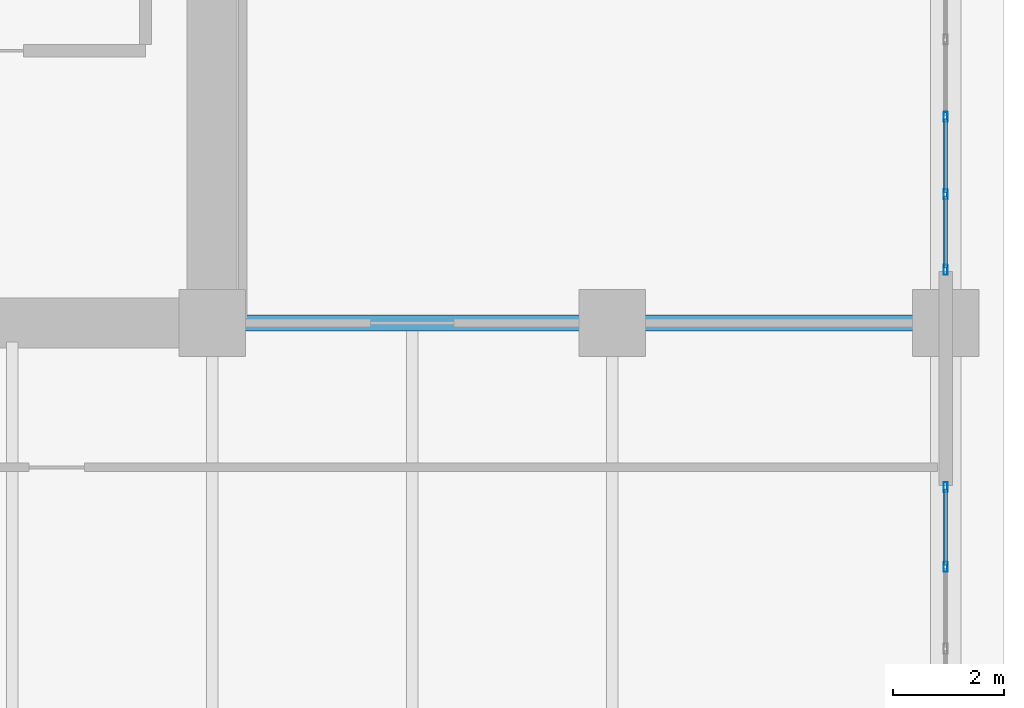
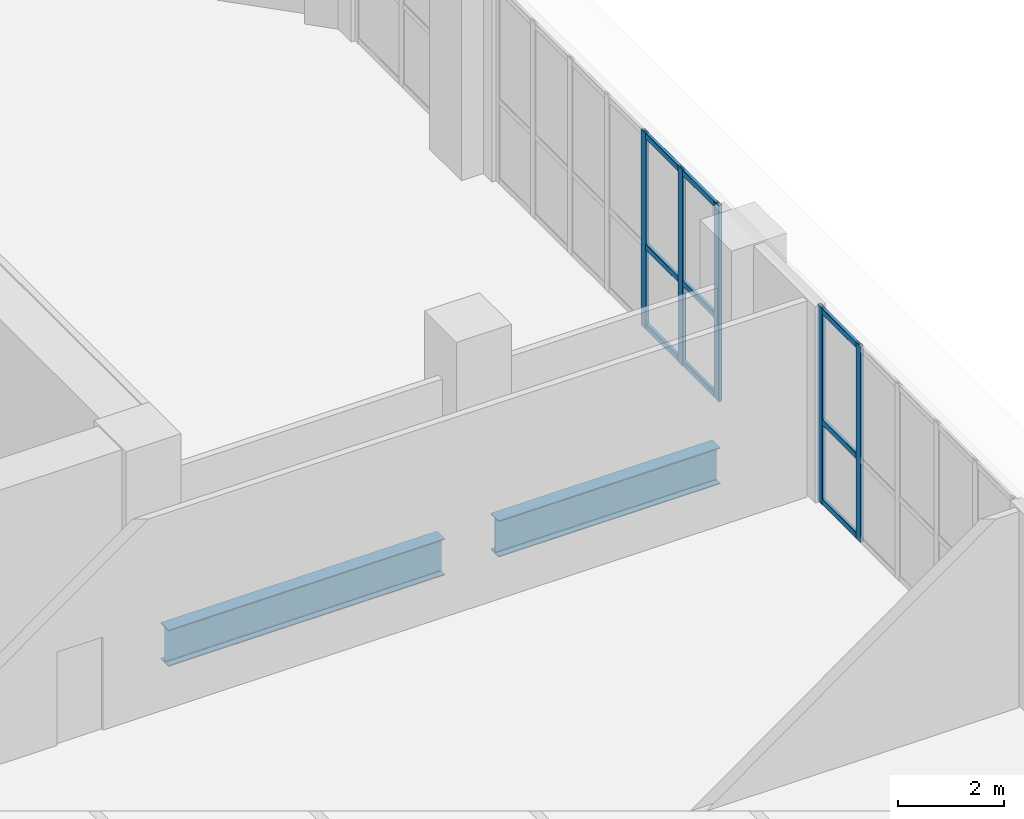
# One storey, part 23 of 37: 14 members, 2 beams, 2 elements without a shape of their own.
"""IFC4 building model written with IfcOpenShell, lengths in metres."""

from ifc_helpers import new_model, si_unit, direction, frame, origin, origin_2d, place, context, subcontext, project, spatial, hollow_rectangle, i_section, extrude, material, layer, layer_set, material_profile, profile_set, type_object, element, aggregate, save


model = new_model("IFC4")

# Units and contexts
model_context = context("Model", 3, precision=1e-05, world=origin(), true_north=direction((0.0, 1.0)))
body_context = subcontext(model_context, "Body", "Model", "MODEL_VIEW")
ifc_project = project(units=[si_unit("LENGTHUNIT", "METRE"), si_unit("AREAUNIT", "SQUARE_METRE"), si_unit("VOLUMEUNIT", "CUBIC_METRE"), si_unit("PLANEANGLEUNIT", "RADIAN"), si_unit("MASSUNIT", "GRAM", prefix="KILO")], contexts=[model_context])

# Site, building, storey
site_placement = place(None, origin())
site = spatial("IfcSite", under=ifc_project, at=site_placement, CompositionType="ELEMENT")
building_placement = place(site_placement, origin())
building = spatial("IfcBuilding", under=site, at=building_placement, Name="Kaelvorn Grand Hotel", CompositionType="ELEMENT")
storey_placement = place(building_placement, frame((0.0, 0.0, 224.35009765625)))
storey = spatial("IfcBuildingStorey", under=building, at=storey_placement, Name="L55", CompositionType="ELEMENT", Elevation=224.35009765625)

# Beams
ifc_material_1 = material(Name="Steel S355", Category="steel")
ifc_material_profile_1 = material_profile(ifc_material_1, i_section(OverallWidth=0.29248046875, OverallDepth=0.8408203125, WebThickness=0.0146484375, FlangeThickness=0.021728515625, FilletRadius=0.017822265625, at=origin_2d()), Name="UB 838x292x194")
ifc_profile_set_1 = profile_set([ifc_material_profile_1], Name="Steel S355")
beam_type = type_object("IfcBeamType", Name="BM-G-UB838-S355", PredefinedType="BEAM", material=ifc_profile_set_1)
beam_1_placement = place(storey_placement, frame((68.385009765625, 29.39990234375, -0.660400390625), z_axis=(1.0, 0.0, 0.0), x_axis=(0.0, 1.0, 0.0)))
element("IfcBeam", 1, at=beam_1_placement, inside=storey, type_object=beam_type, Name="L55 East Core Wing Steel Girder G-29E 01", PredefinedType="BEAM", context=body_context, shape_type="SweptSolid", body=[
    extrude(i_section(OverallWidth=0.29248046875, OverallDepth=0.8408203125, WebThickness=0.0146484375, FlangeThickness=0.021728515625, FilletRadius=0.017822265625, at=origin_2d()), origin(), (0.0, 0.0, 1.0), 6.030029296875),
])
beam_2_placement = place(storey_placement, frame((75.5849609375, 29.39990234375, -0.660400390625), z_axis=(1.0, 0.0, 0.0), x_axis=(0.0, 1.0, 0.0)))
element("IfcBeam", 2, at=beam_2_placement, inside=storey, type_object=beam_type, Name="L55 East Core Wing Steel Girder G-29E 02", PredefinedType="BEAM", context=body_context, shape_type="SweptSolid", body=[
    extrude(i_section(OverallWidth=0.29248046875, OverallDepth=0.8408203125, WebThickness=0.0146484375, FlangeThickness=0.021728515625, FilletRadius=0.017822265625, at=origin_2d()), origin(), (0.0, 0.0, 1.0), 4.830078125),
])

# Curtain wall, members
ifc_material_2 = material(Name="Anodised Aluminium", Category="aluminium")
ifc_layer = layer(ifc_material_2, 0.179931640625)
ifc_layer_set = layer_set([ifc_layer], Name="Anodised Aluminium")
curtain_wall_type = type_object("IfcCurtainWallType", Name="CW-SYS4", PredefinedType="NOTDEFINED", material=ifc_layer_set)
curtain_wall_1_placement = place(storey_placement, origin())
curtain_wall_1 = element("IfcCurtainWall", 3, at=curtain_wall_1_placement, inside=storey, type_object=curtain_wall_type, Name="L55 Unitised Curtain Wall CW4 (CW-L55-E-03)", PredefinedType="NOTDEFINED")
ifc_material_profile_2 = material_profile(ifc_material_2, hollow_rectangle(XDim=0.070068359375, YDim=0.179931640625, WallThickness=0.00390625, InnerFilletRadius=0.00390625, OuterFilletRadius=0.008056640625, at=origin_2d()), Name="ALU MULL 70x180")
ifc_profile_set_2 = profile_set([ifc_material_profile_2], Name="Anodised Aluminium")
member_type_1 = type_object("IfcMemberType", Name="CW-SYS4-MULL", PredefinedType="MULLION", material=ifc_profile_set_2)
member_1_placement = place(storey_placement, frame((81.0, 25.008056640625, 0.0), z_axis=(0.0, 0.0, 1.0), x_axis=(-1.0, 0.0, 0.0)))
member_1 = element("IfcMember", 4, at=member_1_placement, type_object=member_type_1, Name="CW4 mullion 5", PredefinedType="MULLION", context=body_context, shape_type="SweptSolid", body=[
    extrude(hollow_rectangle(XDim=0.070068359375, YDim=0.179931640625, WallThickness=0.00390625, InnerFilletRadius=0.00390625, OuterFilletRadius=0.008056640625, at=origin_2d()), origin(), (0.0, 0.0, 1.0), 4.52001953125),
])
member_2_placement = place(storey_placement, frame((81.0, 26.445068359375, 0.0), z_axis=(0.0, 0.0, 1.0), x_axis=(-1.0, 0.0, 0.0)))
member_2 = element("IfcMember", 5, at=member_2_placement, type_object=member_type_1, Name="CW4 mullion 6", PredefinedType="MULLION", context=body_context, shape_type="SweptSolid", body=[
    extrude(hollow_rectangle(XDim=0.070068359375, YDim=0.179931640625, WallThickness=0.00390625, InnerFilletRadius=0.00390625, OuterFilletRadius=0.008056640625, at=origin_2d()), origin(), (0.0, 0.0, 1.0), 4.52001953125),
])

curtain_wall_2_placement = place(storey_placement, origin())
curtain_wall_2 = element("IfcCurtainWall", 6, at=curtain_wall_2_placement, inside=storey, type_object=curtain_wall_type, Name="L55 Unitised Curtain Wall CW4 (CW-L55-E-04)", PredefinedType="NOTDEFINED")
member_3_placement = place(storey_placement, frame((81.0, 30.35498046875, 0.0), z_axis=(0.0, 0.0, 1.0), x_axis=(-1.0, 0.0, 0.0)))
member_3 = element("IfcMember", 7, at=member_3_placement, type_object=member_type_1, Name="CW4 mullion 1", PredefinedType="MULLION", context=body_context, shape_type="SweptSolid", body=[
    extrude(hollow_rectangle(XDim=0.070068359375, YDim=0.179931640625, WallThickness=0.00390625, InnerFilletRadius=0.00390625, OuterFilletRadius=0.008056640625, at=origin_2d()), origin(), (0.0, 0.0, 1.0), 4.52001953125),
])
member_4_placement = place(storey_placement, frame((81.0, 31.71337890625, 0.0), z_axis=(0.0, 0.0, 1.0), x_axis=(-1.0, 0.0, 0.0)))
member_4 = element("IfcMember", 8, at=member_4_placement, type_object=member_type_1, Name="CW4 mullion 2", PredefinedType="MULLION", context=body_context, shape_type="SweptSolid", body=[
    extrude(hollow_rectangle(XDim=0.070068359375, YDim=0.179931640625, WallThickness=0.00390625, InnerFilletRadius=0.00390625, OuterFilletRadius=0.008056640625, at=origin_2d()), origin(), (0.0, 0.0, 1.0), 4.52001953125),
])
member_5_placement = place(storey_placement, frame((81.0, 33.106689453125, 0.0), z_axis=(0.0, 0.0, 1.0), x_axis=(-1.0, 0.0, 0.0)))
member_5 = element("IfcMember", 9, at=member_5_placement, type_object=member_type_1, Name="CW4 mullion 3", PredefinedType="MULLION", context=body_context, shape_type="SweptSolid", body=[
    extrude(hollow_rectangle(XDim=0.070068359375, YDim=0.179931640625, WallThickness=0.00390625, InnerFilletRadius=0.00390625, OuterFilletRadius=0.008056640625, at=origin_2d()), origin(), (0.0, 0.0, 1.0), 4.52001953125),
])

# Member
ifc_material_profile_3 = material_profile(ifc_material_2, hollow_rectangle(XDim=0.070068359375, YDim=0.135009765625, WallThickness=0.00341796875, InnerFilletRadius=0.00341796875, OuterFilletRadius=0.007080078125, at=origin_2d()), Name="ALU TRAN 70x135")
ifc_profile_set_3 = profile_set([ifc_material_profile_3], Name="Anodised Aluminium")
member_type_2 = type_object("IfcMemberType", Name="CW-SYS4-TRAN", PredefinedType="NOTDEFINED", material=ifc_profile_set_3)
member_6_placement = place(storey_placement, frame((81.0, 25.04296875, 0.0673828125), z_axis=(0.0, 1.0, 0.0), x_axis=(-1.0, 0.0, 0.0)))
member_6 = element("IfcMember", 10, at=member_6_placement, type_object=member_type_2, Name="CW4 transom 5.1", ObjectType="TRANSOM", PredefinedType="USERDEFINED", context=body_context, shape_type="SweptSolid", body=[
    extrude(hollow_rectangle(XDim=0.070068359375, YDim=0.135009765625, WallThickness=0.00341796875, InnerFilletRadius=0.00341796875, OuterFilletRadius=0.007080078125, at=origin_2d()), origin(), (0.0, 0.0, 1.0), 1.366943359375),
])

member_7_placement = place(storey_placement, frame((81.0, 25.04296875, 1.898193359375), z_axis=(0.0, 1.0, 0.0), x_axis=(-1.0, 0.0, 0.0)))
member_7 = element("IfcMember", 11, at=member_7_placement, type_object=member_type_2, Name="CW4 transom 5.2", ObjectType="TRANSOM", PredefinedType="USERDEFINED", context=body_context, shape_type="SweptSolid", body=[
    extrude(hollow_rectangle(XDim=0.070068359375, YDim=0.135009765625, WallThickness=0.00341796875, InnerFilletRadius=0.00341796875, OuterFilletRadius=0.007080078125, at=origin_2d()), origin(), (0.0, 0.0, 1.0), 1.366943359375),
])

member_8_placement = place(storey_placement, frame((81.0, 25.04296875, 4.452392578125), z_axis=(0.0, 1.0, 0.0), x_axis=(-1.0, 0.0, 0.0)))
member_8 = element("IfcMember", 12, at=member_8_placement, type_object=member_type_2, Name="CW4 transom 5.3", ObjectType="TRANSOM", PredefinedType="USERDEFINED", context=body_context, shape_type="SweptSolid", body=[
    extrude(hollow_rectangle(XDim=0.070068359375, YDim=0.135009765625, WallThickness=0.00341796875, InnerFilletRadius=0.00341796875, OuterFilletRadius=0.007080078125, at=origin_2d()), origin(), (0.0, 0.0, 1.0), 1.366943359375),
])

aggregate(curtain_wall_1, [member_1, member_2, member_6, member_7, member_8])

member_9_placement = place(storey_placement, frame((81.0, 30.389892578125, 0.0673828125), z_axis=(0.0, 1.0, 0.0), x_axis=(-1.0, 0.0, 0.0)))
member_9 = element("IfcMember", 13, at=member_9_placement, type_object=member_type_2, Name="CW4 transom 1.1", ObjectType="TRANSOM", PredefinedType="USERDEFINED", context=body_context, shape_type="SweptSolid", body=[
    extrude(hollow_rectangle(XDim=0.070068359375, YDim=0.135009765625, WallThickness=0.00341796875, InnerFilletRadius=0.00341796875, OuterFilletRadius=0.007080078125, at=origin_2d()), origin(), (0.0, 0.0, 1.0), 1.288330078125),
])

member_10_placement = place(storey_placement, frame((81.0, 30.389892578125, 1.898193359375), z_axis=(0.0, 1.0, 0.0), x_axis=(-1.0, 0.0, 0.0)))
member_10 = element("IfcMember", 14, at=member_10_placement, type_object=member_type_2, Name="CW4 transom 1.2", ObjectType="TRANSOM", PredefinedType="USERDEFINED", context=body_context, shape_type="SweptSolid", body=[
    extrude(hollow_rectangle(XDim=0.070068359375, YDim=0.135009765625, WallThickness=0.00341796875, InnerFilletRadius=0.00341796875, OuterFilletRadius=0.007080078125, at=origin_2d()), origin(), (0.0, 0.0, 1.0), 1.288330078125),
])

member_11_placement = place(storey_placement, frame((81.0, 30.389892578125, 4.452392578125), z_axis=(0.0, 1.0, 0.0), x_axis=(-1.0, 0.0, 0.0)))
member_11 = element("IfcMember", 15, at=member_11_placement, type_object=member_type_2, Name="CW4 transom 1.3", ObjectType="TRANSOM", PredefinedType="USERDEFINED", context=body_context, shape_type="SweptSolid", body=[
    extrude(hollow_rectangle(XDim=0.070068359375, YDim=0.135009765625, WallThickness=0.00341796875, InnerFilletRadius=0.00341796875, OuterFilletRadius=0.007080078125, at=origin_2d()), origin(), (0.0, 0.0, 1.0), 1.288330078125),
])

member_12_placement = place(storey_placement, frame((81.0, 31.748291015625, 0.0673828125), z_axis=(0.0, 1.0, 0.0), x_axis=(-1.0, 0.0, 0.0)))
member_12 = element("IfcMember", 16, at=member_12_placement, type_object=member_type_2, Name="CW4 transom 2.1", ObjectType="TRANSOM", PredefinedType="USERDEFINED", context=body_context, shape_type="SweptSolid", body=[
    extrude(hollow_rectangle(XDim=0.070068359375, YDim=0.135009765625, WallThickness=0.00341796875, InnerFilletRadius=0.00341796875, OuterFilletRadius=0.007080078125, at=origin_2d()), origin(), (0.0, 0.0, 1.0), 1.323486328125),
])

member_13_placement = place(storey_placement, frame((81.0, 31.748291015625, 1.898193359375), z_axis=(0.0, 1.0, 0.0), x_axis=(-1.0, 0.0, 0.0)))
member_13 = element("IfcMember", 17, at=member_13_placement, type_object=member_type_2, Name="CW4 transom 2.2", ObjectType="TRANSOM", PredefinedType="USERDEFINED", context=body_context, shape_type="SweptSolid", body=[
    extrude(hollow_rectangle(XDim=0.070068359375, YDim=0.135009765625, WallThickness=0.00341796875, InnerFilletRadius=0.00341796875, OuterFilletRadius=0.007080078125, at=origin_2d()), origin(), (0.0, 0.0, 1.0), 1.323486328125),
])

member_14_placement = place(storey_placement, frame((81.0, 31.748291015625, 4.452392578125), z_axis=(0.0, 1.0, 0.0), x_axis=(-1.0, 0.0, 0.0)))
member_14 = element("IfcMember", 18, at=member_14_placement, type_object=member_type_2, Name="CW4 transom 2.3", ObjectType="TRANSOM", PredefinedType="USERDEFINED", context=body_context, shape_type="SweptSolid", body=[
    extrude(hollow_rectangle(XDim=0.070068359375, YDim=0.135009765625, WallThickness=0.00341796875, InnerFilletRadius=0.00341796875, OuterFilletRadius=0.007080078125, at=origin_2d()), origin(), (0.0, 0.0, 1.0), 1.323486328125),
])

aggregate(curtain_wall_2, [member_3, member_4, member_5, member_9, member_10, member_11, member_12, member_13, member_14])

save(model, "model.ifc")
